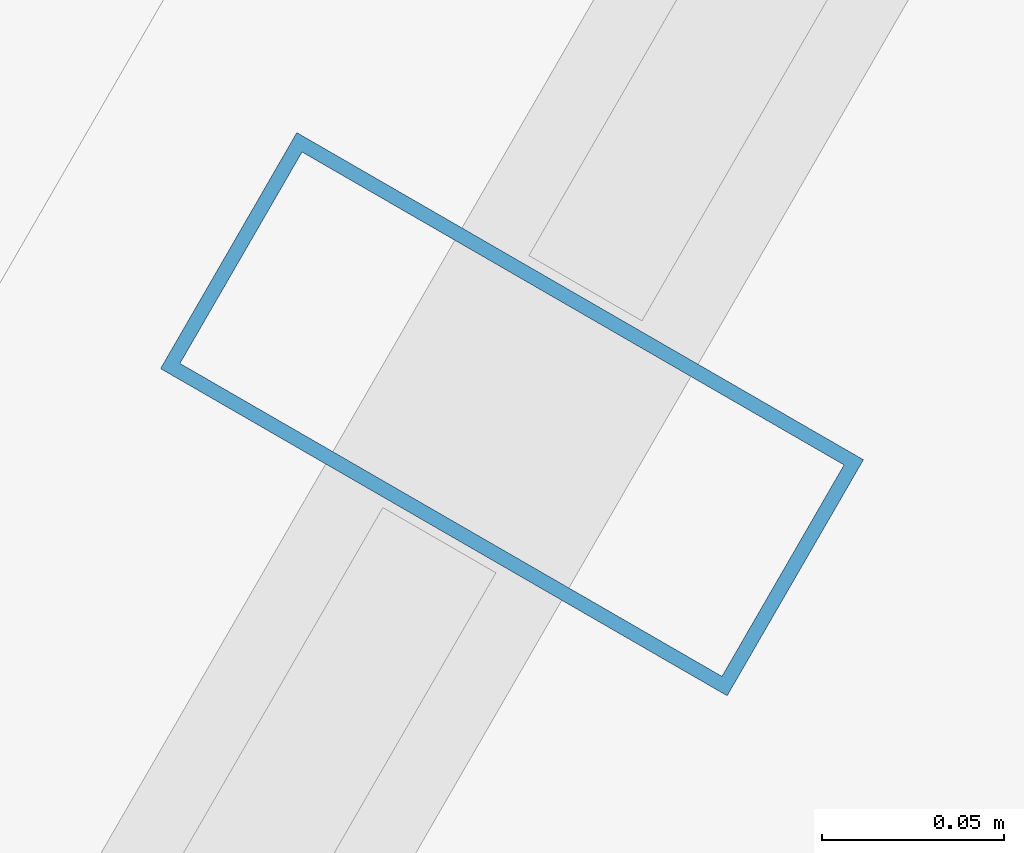
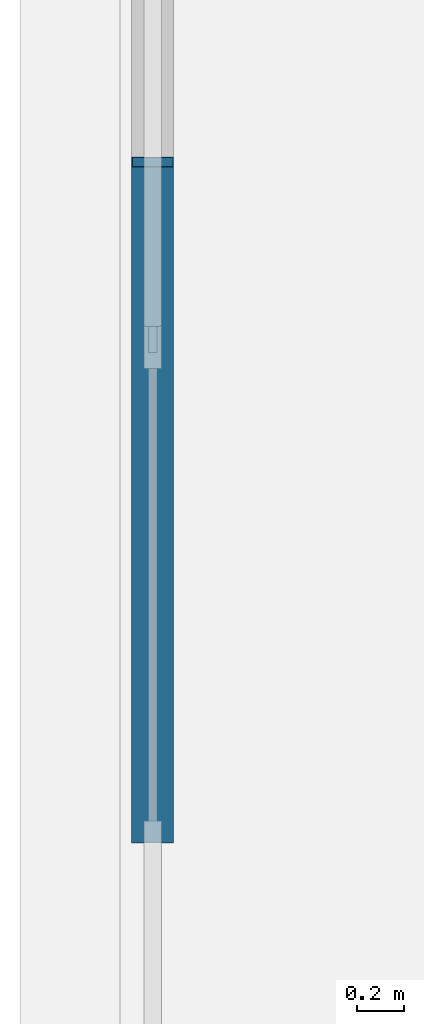
# One storey, part 15 of 32: 1 member, 1 element without a shape of its own.
"""IFC4 building model written with IfcOpenShell, lengths in metres."""

import ifcopenshell
import ifcopenshell.guid

model = None  # the IFC model being written
_history = None  # IfcOwnerHistory: only IFC2X3 demands one
_inside = {}  # id of a spatial element -> (the spatial element, [elements in it])
_under = {}  # id of a project, library or spatial element -> (it, [spatial elements below it])
_declared = {}  # id of a project -> (the project, [libraries it declares])
_typed = {}  # id of a type object -> (the type object, [elements of that type])
_made_of = {}  # id of a material, layer set ... -> (it, [elements and type objects made of it])


def new_model(schema):
    """Start an empty IFC model of exactly this schema.

    Asked for "IFC4X3", IfcOpenShell would pick the latest addendum, in which some entities
    have other attributes; the version numbers below select the first issue.
    IFC2X3 requires an IfcOwnerHistory on every rooted entity: one is made here for all.
    """
    global model, _history
    if schema == "IFC4X3":
        model = ifcopenshell.file(schema_version=(4, 3, 0, 0))
    else:
        model = ifcopenshell.file(schema=schema)
    _inside.clear()
    _under.clear()
    _declared.clear()
    _typed.clear()
    _made_of.clear()
    _history = None
    if model.schema == "IFC2X3":
        org = make("IfcOrganization", Name="unknown")
        user = make(
            "IfcPersonAndOrganization",
            ThePerson=make("IfcPerson", FamilyName="unknown"),
            TheOrganization=org,
        )
        app = make(
            "IfcApplication",
            ApplicationDeveloper=org,
            Version="unknown",
            ApplicationFullName="unknown",
            ApplicationIdentifier="unknown",
        )
        _history = make(
            "IfcOwnerHistory",
            OwningUser=user,
            OwningApplication=app,
            ChangeAction="ADDED",
            CreationDate=0,
        )
    return model


def make(cls, **values):
    """One entity of the class cls with the attributes given. An attribute that is None is left unset."""
    return model.create_entity(
        cls, **{name: value for name, value in values.items() if value is not None}
    )


def rooted(cls, **values):
    """An entity with a GlobalId (a new one), such as an element, a storey or a relation."""
    return make(cls, GlobalId=ifcopenshell.guid.new(), OwnerHistory=_history, **values)


def si_unit(unit_type, name, prefix=None):
    """IfcSIUnit, for example si_unit("LENGTHUNIT", "METRE", prefix="MILLI")."""
    return make("IfcSIUnit", UnitType=unit_type, Prefix=prefix, Name=name)


def assignment(units):
    """IfcUnitAssignment: the units of a project."""
    return None if units is None else make("IfcUnitAssignment", Units=units)


def point(xyz):
    """IfcCartesianPoint."""
    return None if xyz is None else make("IfcCartesianPoint", Coordinates=xyz)


def direction(xyz):
    """IfcDirection."""
    return None if xyz is None else make("IfcDirection", DirectionRatios=xyz)


def frame(location, z_axis=None, x_axis=None):
    """IfcAxis2Placement3D, a coordinate frame: its origin and axes. An axis left out is left unset."""
    return make(
        "IfcAxis2Placement3D",
        Location=point(location),
        Axis=direction(z_axis),
        RefDirection=direction(x_axis),
    )


def frame_2d(location, x_axis=None):
    """IfcAxis2Placement2D, a coordinate frame in the plane: its origin and x axis."""
    return make(
        "IfcAxis2Placement2D", Location=point(location), RefDirection=direction(x_axis)
    )


def origin():
    """The frame at (0, 0, 0) with its axes left unset."""
    return frame((0.0, 0.0, 0.0))


def origin_2d():
    """The frame at (0, 0) in the plane with its x axis left unset."""
    return frame_2d((0.0, 0.0))


def place(relative_to, where):
    """IfcLocalPlacement: puts the frame where relative to a parent placement (None: the world)."""
    return make(
        "IfcLocalPlacement", PlacementRelTo=relative_to, RelativePlacement=where
    )


def context(
    kind, dimensions, precision=None, world=None, true_north=None, identifier=None
):
    """IfcGeometricRepresentationContext, for example the 3D "Model" context."""
    return make(
        "IfcGeometricRepresentationContext",
        ContextIdentifier=identifier,
        ContextType=kind,
        CoordinateSpaceDimension=dimensions,
        Precision=precision,
        WorldCoordinateSystem=world,
        TrueNorth=true_north,
    )


def subcontext(parent, identifier, kind, view, scale=None):
    """IfcGeometricRepresentationSubContext, for example "Body" below "Model"."""
    return make(
        "IfcGeometricRepresentationSubContext",
        ContextIdentifier=identifier,
        ContextType=kind,
        ParentContext=parent,
        TargetScale=scale,
        TargetView=view,
    )


def project(units=None, contexts=None):
    """IfcProject with its units and contexts."""
    return rooted(
        "IfcProject",
        Name="project",
        RepresentationContexts=contexts,
        UnitsInContext=assignment(units),
    )


def spatial(cls, under=None, at=None, **own):
    """A site, building, storey or space (cls), placed at a placement, below another one or the project."""
    s = rooted(cls, ObjectPlacement=at, **own)
    if under is not None:
        _under.setdefault(under.id(), (under, []))[1].append(s)
    return s


def profile(cls, at=None, kind="AREA", **sizes):
    """A parametric profile (cls). Its sizes go by their IFC names, for example OverallWidth=200.0."""
    return make(cls, ProfileType=kind, Position=at, **sizes)


def hollow_rectangle(**sizes):
    """IfcRectangleHollowProfileDef."""
    return profile("IfcRectangleHollowProfileDef", **sizes)


def extrude(swept, where, along, depth):
    """IfcExtrudedAreaSolid: the profile swept, set in the frame where, extruded along a direction by depth."""
    return make(
        "IfcExtrudedAreaSolid",
        SweptArea=swept,
        Position=where,
        ExtrudedDirection=direction(along),
        Depth=depth,
    )


def shape(context_of_items, identifier, shape_type, items):
    """IfcShapeRepresentation: the items that make up one representation, for example the "Body"."""
    return make(
        "IfcShapeRepresentation",
        ContextOfItems=context_of_items,
        RepresentationIdentifier=identifier,
        RepresentationType=shape_type,
        Items=items,
    )


def material(Name=None, Category=None):
    """IfcMaterial."""
    return make("IfcMaterial", Name=Name, Category=Category)


def layer(
    of_material, thickness, ventilated=None, Name=None, Category=None, Priority=None
):
    """IfcMaterialLayer: one layer of a wall or slab, of a material (None: an air gap)."""
    return make(
        "IfcMaterialLayer",
        Material=of_material,
        LayerThickness=thickness,
        IsVentilated=ventilated,
        Name=Name,
        Category=Category,
        Priority=Priority,
    )


def layer_set(layers, Name=None):
    """IfcMaterialLayerSet."""
    return make("IfcMaterialLayerSet", MaterialLayers=layers, LayerSetName=Name)


def material_profile(
    of_material, cross_section, Name=None, Category=None, Priority=None
):
    """IfcMaterialProfile: a cross section and its material."""
    return make(
        "IfcMaterialProfile",
        Name=Name,
        Material=of_material,
        Profile=cross_section,
        Priority=Priority,
        Category=Category,
    )


def profile_set(profiles, Name=None, composite=None):
    """IfcMaterialProfileSet."""
    return make(
        "IfcMaterialProfileSet",
        Name=Name,
        MaterialProfiles=profiles,
        CompositeProfile=composite,
    )


def made_of(thing, what):
    """Note that an element or type object is made of a material, layer set ...; save() writes the relation."""
    if what is not None:
        _made_of.setdefault(what.id(), (what, []))[1].append(thing)
    return thing


def type_object(cls, material=None, **own):
    """A type object (cls), such as IfcWallType, which elements share."""
    return made_of(rooted(cls, **own), material)


def element(
    cls,
    number,
    at=None,
    inside=None,
    cuts=None,
    type_object=None,
    material=None,
    context=None,
    identifier="Body",
    shape_type=None,
    held_by="IfcProductDefinitionShape",
    body=None,
    shapes=None,
    **own,
):
    """One element of the class cls, such as IfcWall. Its Tag is "e" and its number.

    at: its placement. inside: the storey or other place that contains it. cuts: it is an
    opening in that element (IfcRelVoidsElement). A single representation is given by context,
    identifier, shape_type and body (its items); several are given by shapes. held_by: the class
    of the entity that holds the representations. save() writes the other relations.
    """
    e = rooted(cls, Tag="e%d" % number, ObjectPlacement=at, **own)
    if body is not None:
        shapes = [shape(context, identifier, shape_type, body)]
    if shapes is not None:
        e.Representation = make(held_by, Representations=shapes)
    if inside is not None:
        _inside.setdefault(inside.id(), (inside, []))[1].append(e)
    if cuts is not None:
        rooted(
            "IfcRelVoidsElement", RelatingBuildingElement=cuts, RelatedOpeningElement=e
        )
    if type_object is not None:
        _typed.setdefault(type_object.id(), (type_object, []))[1].append(e)
    return made_of(e, material)


def aggregate(whole, parts):
    """IfcRelAggregates: a whole, such as a stair, and the parts it consists of."""
    return rooted("IfcRelAggregates", RelatingObject=whole, RelatedObjects=parts)


def save(model, path):
    """Write the relations noted so far, then the file.

    IfcRelAggregates (storeys below a building ...), IfcRelContainedInSpatialStructure (elements
    in a storey), IfcRelDefinesByType, IfcRelAssociatesMaterial and IfcRelDeclares: one each for
    every whole, place, type object, material and project.
    """
    for whole, parts in _under.values():
        aggregate(whole, parts)
    for where, things in _inside.values():
        rooted(
            "IfcRelContainedInSpatialStructure",
            RelatedElements=things,
            RelatingStructure=where,
        )
    for kind, things in _typed.values():
        rooted("IfcRelDefinesByType", RelatedObjects=things, RelatingType=kind)
    for what, things in _made_of.values():
        rooted("IfcRelAssociatesMaterial", RelatedObjects=things, RelatingMaterial=what)
    for by, libraries in _declared.values():
        rooted("IfcRelDeclares", RelatingContext=by, RelatedDefinitions=libraries)
    model.write(path)


model = new_model("IFC4")

# Units and contexts
model_context = context("Model", 3, precision=1e-05, world=origin(), true_north=direction((0.0, 1.0)))
body_context = subcontext(model_context, "Body", "Model", "MODEL_VIEW")
ifc_project = project(units=[si_unit("LENGTHUNIT", "METRE"), si_unit("AREAUNIT", "SQUARE_METRE"), si_unit("VOLUMEUNIT", "CUBIC_METRE"), si_unit("PLANEANGLEUNIT", "RADIAN"), si_unit("MASSUNIT", "GRAM", prefix="KILO")], contexts=[model_context])

# Site, building, storey
site_placement = place(None, origin())
site = spatial("IfcSite", under=ifc_project, at=site_placement, CompositionType="ELEMENT")
building_placement = place(site_placement, origin())
building = spatial("IfcBuilding", under=site, at=building_placement, Name="Ndaravel Arena Tower", CompositionType="ELEMENT")
storey_placement = place(building_placement, frame((0.0, 0.0, 294.699951171875)))
storey = spatial("IfcBuildingStorey", under=building, at=storey_placement, Name="L72", CompositionType="ELEMENT", Elevation=294.699951171875)

# Curtain wall, member
ifc_material_1 = material(Name="Aluminium", Category="aluminium")
ifc_layer = layer(ifc_material_1, 0.179931640625)
ifc_layer_set = layer_set([ifc_layer], Name="Aluminium")
curtain_wall_type = type_object("IfcCurtainWallType", Name="CW-SYS-03", PredefinedType="NOTDEFINED", material=ifc_layer_set)
curtain_wall_placement = place(storey_placement, origin())
curtain_wall = element("IfcCurtainWall", 1, at=curtain_wall_placement, inside=storey, type_object=curtain_wall_type, Name="L72 Faceted Crystal Curtain Wall CW-L72-E05", PredefinedType="NOTDEFINED")
ifc_material_2 = material(Name="Aluminium", Category="aluminium")
ifc_material_profile = material_profile(ifc_material_2, hollow_rectangle(XDim=0.074951171875, YDim=0.179931640625, WallThickness=0.00390625, at=origin_2d()), Name="CW MULLION 75x180x4")
ifc_profile_set = profile_set([ifc_material_profile], Name="Aluminium")
member_type = type_object("IfcMemberType", Name="MEM-CW-MUL180", PredefinedType="MULLION", material=ifc_profile_set)
member_placement = place(storey_placement, frame((35.527099609375, 35.7099609375, 0.0), z_axis=(0.0, 0.0, 1.0), x_axis=(-0.5, -0.866025403784, 0.0)))
member = element("IfcMember", 2, at=member_placement, type_object=member_type, Name="CW-L72-E05 Mullion 02", PredefinedType="MULLION", context=body_context, shape_type="SweptSolid", body=[
    extrude(hollow_rectangle(XDim=0.074951171875, YDim=0.179931640625, WallThickness=0.00390625, at=origin_2d()), origin(), (0.0, 0.0, 1.0), 3.52001953125),
])
aggregate(curtain_wall, [member])

save(model, "model.ifc")
